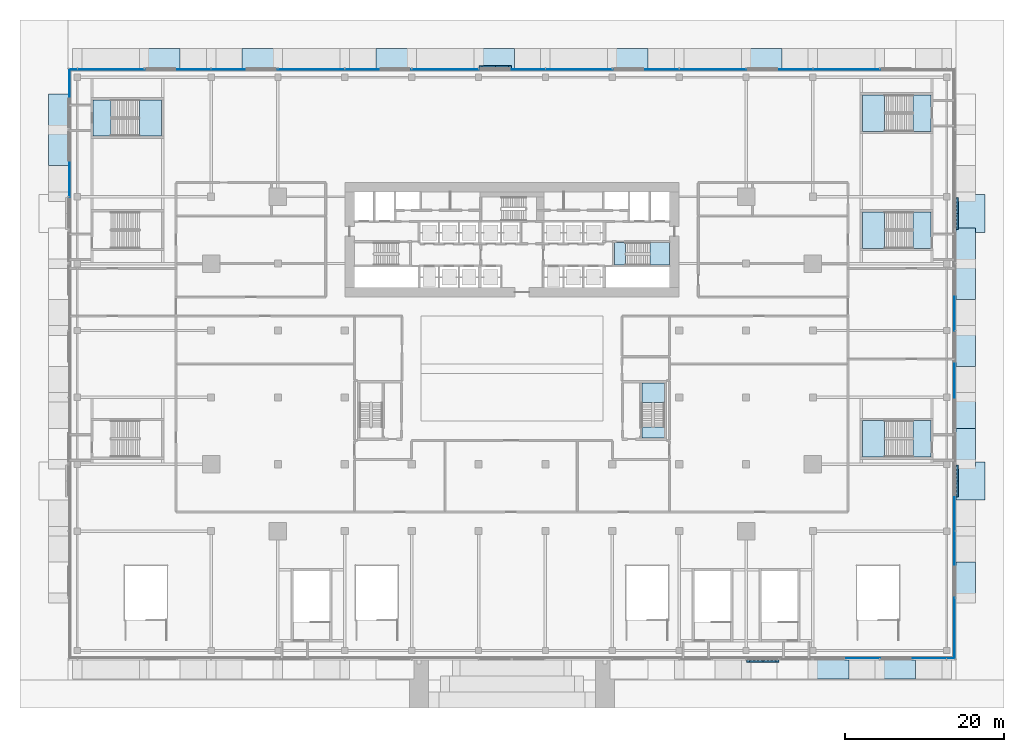
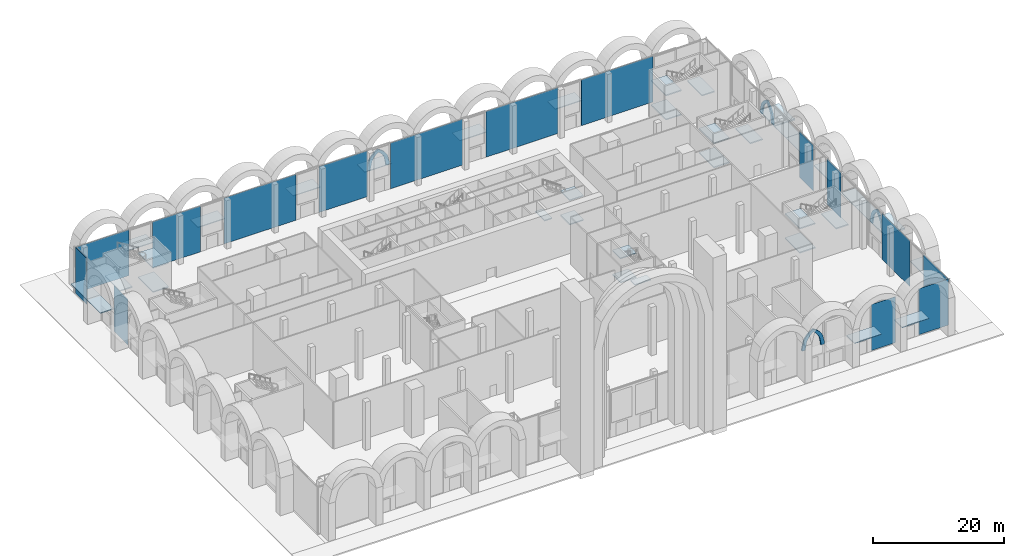
# One storey, part 18 of 43: 37 plates, 18 slabs, 10 elements without a shape of their own.
"""IFC4 building model written with IfcOpenShell, lengths in metres."""

import ifcopenshell
import ifcopenshell.guid

model = None  # the IFC model being written
_history = None  # IfcOwnerHistory: only IFC2X3 demands one
_inside = {}  # id of a spatial element -> (the spatial element, [elements in it])
_under = {}  # id of a project, library or spatial element -> (it, [spatial elements below it])
_declared = {}  # id of a project -> (the project, [libraries it declares])
_typed = {}  # id of a type object -> (the type object, [elements of that type])
_made_of = {}  # id of a material, layer set ... -> (it, [elements and type objects made of it])


def new_model(schema):
    """Start an empty IFC model of exactly this schema.

    Asked for "IFC4X3", IfcOpenShell would pick the latest addendum, in which some entities
    have other attributes; the version numbers below select the first issue.
    IFC2X3 requires an IfcOwnerHistory on every rooted entity: one is made here for all.
    """
    global model, _history
    if schema == "IFC4X3":
        model = ifcopenshell.file(schema_version=(4, 3, 0, 0))
    else:
        model = ifcopenshell.file(schema=schema)
    _inside.clear()
    _under.clear()
    _declared.clear()
    _typed.clear()
    _made_of.clear()
    _history = None
    if model.schema == "IFC2X3":
        org = make("IfcOrganization", Name="unknown")
        user = make(
            "IfcPersonAndOrganization",
            ThePerson=make("IfcPerson", FamilyName="unknown"),
            TheOrganization=org,
        )
        app = make(
            "IfcApplication",
            ApplicationDeveloper=org,
            Version="unknown",
            ApplicationFullName="unknown",
            ApplicationIdentifier="unknown",
        )
        _history = make(
            "IfcOwnerHistory",
            OwningUser=user,
            OwningApplication=app,
            ChangeAction="ADDED",
            CreationDate=0,
        )
    return model


def make(cls, **values):
    """One entity of the class cls with the attributes given. An attribute that is None is left unset."""
    return model.create_entity(
        cls, **{name: value for name, value in values.items() if value is not None}
    )


def rooted(cls, **values):
    """An entity with a GlobalId (a new one), such as an element, a storey or a relation."""
    return make(cls, GlobalId=ifcopenshell.guid.new(), OwnerHistory=_history, **values)


def si_unit(unit_type, name, prefix=None):
    """IfcSIUnit, for example si_unit("LENGTHUNIT", "METRE", prefix="MILLI")."""
    return make("IfcSIUnit", UnitType=unit_type, Prefix=prefix, Name=name)


def assignment(units):
    """IfcUnitAssignment: the units of a project."""
    return None if units is None else make("IfcUnitAssignment", Units=units)


def point(xyz):
    """IfcCartesianPoint."""
    return None if xyz is None else make("IfcCartesianPoint", Coordinates=xyz)


def direction(xyz):
    """IfcDirection."""
    return None if xyz is None else make("IfcDirection", DirectionRatios=xyz)


def frame(location, z_axis=None, x_axis=None):
    """IfcAxis2Placement3D, a coordinate frame: its origin and axes. An axis left out is left unset."""
    return make(
        "IfcAxis2Placement3D",
        Location=point(location),
        Axis=direction(z_axis),
        RefDirection=direction(x_axis),
    )


def frame_2d(location, x_axis=None):
    """IfcAxis2Placement2D, a coordinate frame in the plane: its origin and x axis."""
    return make(
        "IfcAxis2Placement2D", Location=point(location), RefDirection=direction(x_axis)
    )


def origin():
    """The frame at (0, 0, 0) with its axes left unset."""
    return frame((0.0, 0.0, 0.0))


def place(relative_to, where):
    """IfcLocalPlacement: puts the frame where relative to a parent placement (None: the world)."""
    return make(
        "IfcLocalPlacement", PlacementRelTo=relative_to, RelativePlacement=where
    )


def context(
    kind, dimensions, precision=None, world=None, true_north=None, identifier=None
):
    """IfcGeometricRepresentationContext, for example the 3D "Model" context."""
    return make(
        "IfcGeometricRepresentationContext",
        ContextIdentifier=identifier,
        ContextType=kind,
        CoordinateSpaceDimension=dimensions,
        Precision=precision,
        WorldCoordinateSystem=world,
        TrueNorth=true_north,
    )


def subcontext(parent, identifier, kind, view, scale=None):
    """IfcGeometricRepresentationSubContext, for example "Body" below "Model"."""
    return make(
        "IfcGeometricRepresentationSubContext",
        ContextIdentifier=identifier,
        ContextType=kind,
        ParentContext=parent,
        TargetScale=scale,
        TargetView=view,
    )


def project(units=None, contexts=None):
    """IfcProject with its units and contexts."""
    return rooted(
        "IfcProject",
        Name="project",
        RepresentationContexts=contexts,
        UnitsInContext=assignment(units),
    )


def spatial(cls, under=None, at=None, **own):
    """A site, building, storey or space (cls), placed at a placement, below another one or the project."""
    s = rooted(cls, ObjectPlacement=at, **own)
    if under is not None:
        _under.setdefault(under.id(), (under, []))[1].append(s)
    return s


def polyline(points):
    """IfcPolyline through the points."""
    return make("IfcPolyline", Points=[point(p) for p in points])


def profile(cls, at=None, kind="AREA", **sizes):
    """A parametric profile (cls). Its sizes go by their IFC names, for example OverallWidth=200.0."""
    return make(cls, ProfileType=kind, Position=at, **sizes)


def rectangle(**sizes):
    """IfcRectangleProfileDef."""
    return profile("IfcRectangleProfileDef", **sizes)


def outline(outer, holes=None, kind="AREA"):
    """IfcArbitraryClosedProfileDef: a profile drawn as a closed curve; with holes, ...WithVoids."""
    if holes is None:
        return make("IfcArbitraryClosedProfileDef", ProfileType=kind, OuterCurve=outer)
    return make(
        "IfcArbitraryProfileDefWithVoids",
        ProfileType=kind,
        OuterCurve=outer,
        InnerCurves=holes,
    )


def extrude(swept, where, along, depth):
    """IfcExtrudedAreaSolid: the profile swept, set in the frame where, extruded along a direction by depth."""
    return make(
        "IfcExtrudedAreaSolid",
        SweptArea=swept,
        Position=where,
        ExtrudedDirection=direction(along),
        Depth=depth,
    )


def shape(context_of_items, identifier, shape_type, items):
    """IfcShapeRepresentation: the items that make up one representation, for example the "Body"."""
    return make(
        "IfcShapeRepresentation",
        ContextOfItems=context_of_items,
        RepresentationIdentifier=identifier,
        RepresentationType=shape_type,
        Items=items,
    )


def material(Name=None, Category=None):
    """IfcMaterial."""
    return make("IfcMaterial", Name=Name, Category=Category)


def layer(
    of_material, thickness, ventilated=None, Name=None, Category=None, Priority=None
):
    """IfcMaterialLayer: one layer of a wall or slab, of a material (None: an air gap)."""
    return make(
        "IfcMaterialLayer",
        Material=of_material,
        LayerThickness=thickness,
        IsVentilated=ventilated,
        Name=Name,
        Category=Category,
        Priority=Priority,
    )


def layer_set(layers, Name=None):
    """IfcMaterialLayerSet."""
    return make("IfcMaterialLayerSet", MaterialLayers=layers, LayerSetName=Name)


def made_of(thing, what):
    """Note that an element or type object is made of a material, layer set ...; save() writes the relation."""
    if what is not None:
        _made_of.setdefault(what.id(), (what, []))[1].append(thing)
    return thing


def type_object(cls, material=None, **own):
    """A type object (cls), such as IfcWallType, which elements share."""
    return made_of(rooted(cls, **own), material)


def element(
    cls,
    number,
    at=None,
    inside=None,
    cuts=None,
    type_object=None,
    material=None,
    context=None,
    identifier="Body",
    shape_type=None,
    held_by="IfcProductDefinitionShape",
    body=None,
    shapes=None,
    **own,
):
    """One element of the class cls, such as IfcWall. Its Tag is "e" and its number.

    at: its placement. inside: the storey or other place that contains it. cuts: it is an
    opening in that element (IfcRelVoidsElement). A single representation is given by context,
    identifier, shape_type and body (its items); several are given by shapes. held_by: the class
    of the entity that holds the representations. save() writes the other relations.
    """
    e = rooted(cls, Tag="e%d" % number, ObjectPlacement=at, **own)
    if body is not None:
        shapes = [shape(context, identifier, shape_type, body)]
    if shapes is not None:
        e.Representation = make(held_by, Representations=shapes)
    if inside is not None:
        _inside.setdefault(inside.id(), (inside, []))[1].append(e)
    if cuts is not None:
        rooted(
            "IfcRelVoidsElement", RelatingBuildingElement=cuts, RelatedOpeningElement=e
        )
    if type_object is not None:
        _typed.setdefault(type_object.id(), (type_object, []))[1].append(e)
    return made_of(e, material)


def aggregate(whole, parts):
    """IfcRelAggregates: a whole, such as a stair, and the parts it consists of."""
    return rooted("IfcRelAggregates", RelatingObject=whole, RelatedObjects=parts)


def save(model, path):
    """Write the relations noted so far, then the file.

    IfcRelAggregates (storeys below a building ...), IfcRelContainedInSpatialStructure (elements
    in a storey), IfcRelDefinesByType, IfcRelAssociatesMaterial and IfcRelDeclares: one each for
    every whole, place, type object, material and project.
    """
    for whole, parts in _under.values():
        aggregate(whole, parts)
    for where, things in _inside.values():
        rooted(
            "IfcRelContainedInSpatialStructure",
            RelatedElements=things,
            RelatingStructure=where,
        )
    for kind, things in _typed.values():
        rooted("IfcRelDefinesByType", RelatedObjects=things, RelatingType=kind)
    for what, things in _made_of.values():
        rooted("IfcRelAssociatesMaterial", RelatedObjects=things, RelatingMaterial=what)
    for by, libraries in _declared.values():
        rooted("IfcRelDeclares", RelatingContext=by, RelatedDefinitions=libraries)
    model.write(path)


model = new_model("IFC4")

# Units and contexts
model_context = context("Model", 3, precision=1e-05, world=origin(), true_north=direction((0.0, 1.0)))
body_context = subcontext(model_context, "Body", "Model", "MODEL_VIEW")
ifc_project = project(units=[si_unit("LENGTHUNIT", "METRE"), si_unit("AREAUNIT", "SQUARE_METRE"), si_unit("VOLUMEUNIT", "CUBIC_METRE"), si_unit("PLANEANGLEUNIT", "RADIAN"), si_unit("MASSUNIT", "GRAM", prefix="KILO")], contexts=[model_context])

# Site, building, storey
site_placement = place(None, origin())
site = spatial("IfcSite", under=ifc_project, at=site_placement, CompositionType="ELEMENT")
building_placement = place(site_placement, origin())
building = spatial("IfcBuilding", under=site, at=building_placement, Name="Saffron Gate Tower", CompositionType="ELEMENT")
storey_placement = place(building_placement, origin())
storey = spatial("IfcBuildingStorey", under=building, at=storey_placement, Name="L00", CompositionType="ELEMENT", Elevation=0.0)

# Plates
ifc_material_1 = material(Name="Aluminium, bronze anodised", Category="aluminium")
ifc_layer_1 = layer(ifc_material_1, 0.14990234375)
ifc_layer_set_1 = layer_set([ifc_layer_1], Name="CAN1 entrance canopy")
plate_type_1 = type_object("IfcPlateType", Name="CAN1 entrance canopy", PredefinedType="SHEET", material=ifc_layer_set_1)
plate_1_placement = place(storey_placement, frame((0.0, 0.0, 4.39990234375)))
element("IfcPlate", 1, at=plate_1_placement, inside=storey, type_object=plate_type_1, Name="ENTRANCE CANOPY", PredefinedType="SHEET", context=body_context, shape_type="SweptSolid", body=[
    extrude(outline(polyline([(87.89990234375, 90.0), (83.10009765625, 90.0), (83.10009765625, 92.39990234375), (87.89990234375, 92.39990234375), (87.89990234375, 90.0)])), origin(), (0.0, 0.0, 1.0), 0.150146484375),
])
plate_2_placement = place(storey_placement, frame((0.0, 0.0, 4.39990234375)))
element("IfcPlate", 2, at=plate_2_placement, inside=storey, type_object=plate_type_1, Name="ENTRANCE CANOPY", PredefinedType="SHEET", context=body_context, shape_type="SweptSolid", body=[
    extrude(outline(polyline([(58.5, 90.0), (53.699951171875, 90.0), (53.699951171875, 92.39990234375), (58.5, 92.39990234375), (58.5, 90.0)])), origin(), (0.0, 0.0, 1.0), 0.150146484375),
])
plate_3_placement = place(storey_placement, frame((0.0, 0.0, 4.39990234375)))
element("IfcPlate", 3, at=plate_3_placement, inside=storey, type_object=plate_type_1, Name="EXIT CANOPY", PredefinedType="SHEET", context=body_context, shape_type="SweptSolid", body=[
    extrude(outline(polyline([(133.5, 15.60009765625), (138.300048828125, 15.60009765625), (138.300048828125, 13.199951171875), (133.5, 13.199951171875), (133.5, 15.60009765625)])), origin(), (0.0, 0.0, 1.0), 0.150146484375),
])
plate_4_placement = place(storey_placement, frame((0.0, 0.0, 4.39990234375)))
element("IfcPlate", 4, at=plate_4_placement, inside=storey, type_object=plate_type_1, Name="EXIT CANOPY", PredefinedType="SHEET", context=body_context, shape_type="SweptSolid", body=[
    extrude(outline(polyline([(75.300048828125, 90.0), (70.5, 90.0), (70.5, 92.39990234375), (75.300048828125, 92.39990234375), (75.300048828125, 90.0)])), origin(), (0.0, 0.0, 1.0), 0.150146484375),
])
plate_5_placement = place(storey_placement, frame((0.0, 0.0, 4.39990234375)))
element("IfcPlate", 5, at=plate_5_placement, inside=storey, type_object=plate_type_1, Name="EXIT CANOPY", PredefinedType="SHEET", context=body_context, shape_type="SweptSolid", body=[
    extrude(outline(polyline([(104.699951171875, 90.0), (99.89990234375, 90.0), (99.89990234375, 92.39990234375), (104.699951171875, 92.39990234375), (104.699951171875, 90.0)])), origin(), (0.0, 0.0, 1.0), 0.150146484375),
])
plate_6_placement = place(storey_placement, frame((0.0, 0.0, 4.39990234375)))
element("IfcPlate", 6, at=plate_6_placement, inside=storey, type_object=plate_type_1, Name="EXIT CANOPY", PredefinedType="SHEET", context=body_context, shape_type="SweptSolid", body=[
    extrude(outline(polyline([(143.39990234375, 23.10009765625), (143.39990234375, 27.89990234375), (145.800048828125, 27.89990234375), (145.800048828125, 23.10009765625), (143.39990234375, 23.10009765625)])), origin(), (0.0, 0.0, 1.0), 0.150146484375),
])
plate_7_placement = place(storey_placement, frame((0.0, 0.0, 4.39990234375)))
element("IfcPlate", 7, at=plate_7_placement, inside=storey, type_object=plate_type_1, Name="EXIT CANOPY", PredefinedType="SHEET", context=body_context, shape_type="SweptSolid", body=[
    extrude(outline(polyline([(143.39990234375, 52.5), (143.39990234375, 57.300048828125), (145.800048828125, 57.300048828125), (145.800048828125, 52.5), (143.39990234375, 52.5)])), origin(), (0.0, 0.0, 1.0), 0.150146484375),
])
plate_8_placement = place(storey_placement, frame((0.0, 0.0, 4.39990234375)))
element("IfcPlate", 8, at=plate_8_placement, inside=storey, type_object=plate_type_1, Name="EXIT CANOPY", PredefinedType="SHEET", context=body_context, shape_type="SweptSolid", body=[
    extrude(outline(polyline([(31.800048828125, 82.5), (31.800048828125, 77.699951171875), (29.39990234375, 77.699951171875), (29.39990234375, 82.5), (31.800048828125, 82.5)])), origin(), (0.0, 0.0, 1.0), 0.150146484375),
])
plate_9_placement = place(storey_placement, frame((0.0, 0.0, 4.39990234375)))
element("IfcPlate", 9, at=plate_9_placement, inside=storey, type_object=plate_type_1, Name="EXIT CANOPY", PredefinedType="SHEET", context=body_context, shape_type="SweptSolid", body=[
    extrude(outline(polyline([(143.39990234375, 44.10009765625), (143.39990234375, 48.89990234375), (145.800048828125, 48.89990234375), (145.800048828125, 44.10009765625), (143.39990234375, 44.10009765625)])), origin(), (0.0, 0.0, 1.0), 0.150146484375),
])
plate_10_placement = place(storey_placement, frame((0.0, 0.0, 4.39990234375)))
element("IfcPlate", 10, at=plate_10_placement, inside=storey, type_object=plate_type_1, Name="EXIT CANOPY", PredefinedType="SHEET", context=body_context, shape_type="SweptSolid", body=[
    extrude(outline(polyline([(143.39990234375, 60.89990234375), (143.39990234375, 65.699951171875), (145.800048828125, 65.699951171875), (145.800048828125, 60.89990234375), (143.39990234375, 60.89990234375)])), origin(), (0.0, 0.0, 1.0), 0.150146484375),
])
plate_11_placement = place(storey_placement, frame((0.0, 0.0, 4.39990234375)))
element("IfcPlate", 11, at=plate_11_placement, inside=storey, type_object=plate_type_1, Name="EXIT CANOPY", PredefinedType="SHEET", context=body_context, shape_type="SweptSolid", body=[
    extrude(outline(polyline([(45.89990234375, 90.0), (41.10009765625, 90.0), (41.10009765625, 92.39990234375), (45.89990234375, 92.39990234375), (45.89990234375, 90.0)])), origin(), (0.0, 0.0, 1.0), 0.150146484375),
])
plate_12_placement = place(storey_placement, frame((0.0, 0.0, 4.39990234375)))
element("IfcPlate", 12, at=plate_12_placement, inside=storey, type_object=plate_type_1, Name="EXIT CANOPY", PredefinedType="SHEET", context=body_context, shape_type="SweptSolid", body=[
    extrude(outline(polyline([(121.5, 90.0), (116.699951171875, 90.0), (116.699951171875, 92.39990234375), (121.5, 92.39990234375), (121.5, 90.0)])), origin(), (0.0, 0.0, 1.0), 0.150146484375),
])
plate_13_placement = place(storey_placement, frame((0.0, 0.0, 4.39990234375)))
element("IfcPlate", 13, at=plate_13_placement, inside=storey, type_object=plate_type_1, Name="EXIT CANOPY", PredefinedType="SHEET", context=body_context, shape_type="SweptSolid", body=[
    extrude(outline(polyline([(125.10009765625, 15.60009765625), (129.89990234375, 15.60009765625), (129.89990234375, 13.199951171875), (125.10009765625, 13.199951171875), (125.10009765625, 15.60009765625)])), origin(), (0.0, 0.0, 1.0), 0.150146484375),
])
plate_14_placement = place(storey_placement, frame((0.0, 0.0, 4.39990234375)))
element("IfcPlate", 14, at=plate_14_placement, inside=storey, type_object=plate_type_1, Name="EXIT CANOPY", PredefinedType="SHEET", context=body_context, shape_type="SweptSolid", body=[
    extrude(outline(polyline([(31.800048828125, 86.699951171875), (31.800048828125, 81.89990234375), (29.39990234375, 81.89990234375), (29.39990234375, 86.699951171875), (31.800048828125, 86.699951171875)])), origin(), (0.0, 0.0, 1.0), 0.150146484375),
])
plate_15_placement = place(storey_placement, frame((0.0, 0.0, 4.39990234375)))
element("IfcPlate", 15, at=plate_15_placement, inside=storey, type_object=plate_type_1, Name="EXIT CANOPY", PredefinedType="SHEET", context=body_context, shape_type="SweptSolid", body=[
    extrude(outline(polyline([(143.39990234375, 65.10009765625), (143.39990234375, 69.89990234375), (145.800048828125, 69.89990234375), (145.800048828125, 65.10009765625), (143.39990234375, 65.10009765625)])), origin(), (0.0, 0.0, 1.0), 0.150146484375),
])
plate_16_placement = place(storey_placement, frame((0.0, 0.0, 4.39990234375)))
element("IfcPlate", 16, at=plate_16_placement, inside=storey, type_object=plate_type_1, Name="EXIT CANOPY", PredefinedType="SHEET", context=body_context, shape_type="SweptSolid", body=[
    extrude(outline(polyline([(143.39990234375, 39.89990234375), (143.39990234375, 44.699951171875), (145.800048828125, 44.699951171875), (145.800048828125, 39.89990234375), (143.39990234375, 39.89990234375)])), origin(), (0.0, 0.0, 1.0), 0.150146484375),
])
ifc_layer_2 = layer(ifc_material_1, 0.25)
ifc_layer_set_2 = layer_set([ifc_layer_2], Name="CAN2 station entrance canopy")
plate_type_2 = type_object("IfcPlateType", Name="CAN2 station entrance canopy", PredefinedType="SHEET", material=ifc_layer_set_2)
plate_17_placement = place(storey_placement, frame((0.0, 0.0, 4.39990234375)))
element("IfcPlate", 17, at=plate_17_placement, inside=storey, type_object=plate_type_2, Name="STATION ENTRANCE CANOPY", PredefinedType="SHEET", context=body_context, shape_type="SweptSolid", body=[
    extrude(outline(polyline([(143.39990234375, 35.699951171875), (143.39990234375, 40.5), (147.0, 40.5), (147.0, 35.699951171875), (143.39990234375, 35.699951171875)])), origin(), (0.0, 0.0, 1.0), 0.25),
])
plate_18_placement = place(storey_placement, frame((0.0, 0.0, 4.39990234375)))
element("IfcPlate", 18, at=plate_18_placement, inside=storey, type_object=plate_type_2, Name="STATION ENTRANCE CANOPY", PredefinedType="SHEET", context=body_context, shape_type="SweptSolid", body=[
    extrude(outline(polyline([(143.39990234375, 69.300048828125), (143.39990234375, 74.10009765625), (147.0, 74.10009765625), (147.0, 69.300048828125), (143.39990234375, 69.300048828125)])), origin(), (0.0, 0.0, 1.0), 0.25),
])

# Curtain wall, plates
curtain_wall_type = type_object("IfcCurtainWallType", Name="CWS5 curtain wall podium ring base", PredefinedType="NOTDEFINED", material=ifc_material_1)
curtain_wall_1_placement = place(storey_placement, origin())
curtain_wall_1 = element("IfcCurtainWall", 19, at=curtain_wall_1_placement, inside=storey, type_object=curtain_wall_type, Name="CWS5 run 1", PredefinedType="NOTDEFINED")
ifc_material_2 = material(Name="Clear low-iron laminated glass", Category="glass")
ifc_layer_3 = layer(ifc_material_2, 0.028076171875)
ifc_layer_set_3 = layer_set([ifc_layer_3], Name="CWS5 fixed glass")
plate_type_3 = type_object("IfcPlateType", Name="CWS5 fixed glass", PredefinedType="CURTAIN_PANEL", material=ifc_layer_set_3)
plate_19_placement = place(storey_placement, frame((129.56005859375, 15.81396484375, 0.0), z_axis=(0.0, 0.0, 1.0), x_axis=(1.0, 0.0, 0.0)))
plate_19 = element("IfcPlate", 20, at=plate_19_placement, type_object=plate_type_3, Name="CWS5 glass panel", PredefinedType="CURTAIN_PANEL", context=body_context, shape_type="SweptSolid", body=[
    extrude(rectangle(XDim=4.280029296875, YDim=0.028076171875, at=frame_2d((2.14013671875, 0.0))), origin(), (0.0, 0.0, 1.0), 8.580078125),
])
plate_20_placement = place(storey_placement, frame((137.9599609375, 15.81396484375, 0.0), z_axis=(0.0, 0.0, 1.0), x_axis=(1.0, 0.0, 0.0)))
plate_20 = element("IfcPlate", 21, at=plate_20_placement, type_object=plate_type_3, Name="CWS5 glass panel", PredefinedType="CURTAIN_PANEL", context=body_context, shape_type="SweptSolid", body=[
    extrude(rectangle(XDim=5.212158203125, YDim=0.028076171875, at=frame_2d((2.60595703125, 0.0))), origin(), (0.0, 0.0, 1.0), 8.580078125),
])
aggregate(curtain_wall_1, [plate_19, plate_20])

curtain_wall_2_placement = place(storey_placement, origin())
curtain_wall_2 = element("IfcCurtainWall", 22, at=curtain_wall_2_placement, inside=storey, type_object=curtain_wall_type, Name="CWS5 run 2", PredefinedType="NOTDEFINED")
plate_21_placement = place(storey_placement, frame((143.18603515625, 15.827880859375, 0.0), z_axis=(0.0, 0.0, 1.0), x_axis=(0.0, 1.0, 0.0)))
plate_21 = element("IfcPlate", 23, at=plate_21_placement, type_object=plate_type_3, Name="CWS5 glass panel", PredefinedType="CURTAIN_PANEL", context=body_context, shape_type="SweptSolid", body=[
    extrude(rectangle(XDim=7.612060546875, YDim=0.028076171875, at=frame_2d((3.80615234375, 0.0))), origin(), (0.0, 0.0, 1.0), 8.580078125),
])
plate_22_placement = place(storey_placement, frame((143.18603515625, 27.56005859375, 0.0), z_axis=(0.0, 0.0, 1.0), x_axis=(0.0, 1.0, 0.0)))
plate_22 = element("IfcPlate", 24, at=plate_22_placement, type_object=plate_type_3, Name="CWS5 glass panel", PredefinedType="CURTAIN_PANEL", context=body_context, shape_type="SweptSolid", body=[
    extrude(rectangle(XDim=8.47998046875, YDim=0.028076171875, at=frame_2d((4.239990234375, 0.0))), origin(), (0.0, 0.0, 1.0), 8.580078125),
])
plate_23_placement = place(storey_placement, frame((143.18603515625, 48.56005859375, 0.0), z_axis=(0.0, 0.0, 1.0), x_axis=(0.0, 1.0, 0.0)))
plate_23 = element("IfcPlate", 25, at=plate_23_placement, type_object=plate_type_3, Name="CWS5 glass panel", PredefinedType="CURTAIN_PANEL", context=body_context, shape_type="SweptSolid", body=[
    extrude(rectangle(XDim=4.280029296875, YDim=0.028076171875, at=frame_2d((2.14013671875, 0.0))), origin(), (0.0, 0.0, 1.0), 8.580078125),
])
plate_24_placement = place(storey_placement, frame((143.18603515625, 56.9599609375, 0.0), z_axis=(0.0, 0.0, 1.0), x_axis=(0.0, 1.0, 0.0)))
plate_24 = element("IfcPlate", 26, at=plate_24_placement, type_object=plate_type_3, Name="CWS5 glass panel", PredefinedType="CURTAIN_PANEL", context=body_context, shape_type="SweptSolid", body=[
    extrude(rectangle(XDim=4.280029296875, YDim=0.028076171875, at=frame_2d((2.14013671875, 0.0))), origin(), (0.0, 0.0, 1.0), 8.580078125),
])
aggregate(curtain_wall_2, [plate_21, plate_22, plate_23, plate_24])

curtain_wall_3_placement = place(storey_placement, origin())
curtain_wall_3 = element("IfcCurtainWall", 27, at=curtain_wall_3_placement, inside=storey, type_object=curtain_wall_type, Name="CWS5 run 3", PredefinedType="NOTDEFINED")
plate_25_placement = place(storey_placement, frame((133.840087890625, 89.785888671875, 0.0), z_axis=(0.0, 0.0, 1.0), x_axis=(-1.0, 0.0, 0.0)))
plate_25 = element("IfcPlate", 28, at=plate_25_placement, type_object=plate_type_3, Name="CWS5 glass panel", PredefinedType="CURTAIN_PANEL", context=body_context, shape_type="SweptSolid", body=[
    extrude(rectangle(XDim=12.68017578125, YDim=0.028076171875, at=frame_2d((6.340087890625, 0.0))), origin(), (0.0, 0.0, 1.0), 8.580078125),
])
plate_26_placement = place(storey_placement, frame((117.0400390625, 89.785888671875, 0.0), z_axis=(0.0, 0.0, 1.0), x_axis=(-1.0, 0.0, 0.0)))
plate_26 = element("IfcPlate", 29, at=plate_26_placement, type_object=plate_type_3, Name="CWS5 glass panel", PredefinedType="CURTAIN_PANEL", context=body_context, shape_type="SweptSolid", body=[
    extrude(rectangle(XDim=12.679931640625, YDim=0.028076171875, at=frame_2d((6.33984375, 0.0))), origin(), (0.0, 0.0, 1.0), 8.580078125),
])
plate_27_placement = place(storey_placement, frame((100.239990234375, 89.785888671875, 0.0), z_axis=(0.0, 0.0, 1.0), x_axis=(-1.0, 0.0, 0.0)))
plate_27 = element("IfcPlate", 30, at=plate_27_placement, type_object=plate_type_3, Name="CWS5 glass panel", PredefinedType="CURTAIN_PANEL", context=body_context, shape_type="SweptSolid", body=[
    extrude(rectangle(XDim=12.679931640625, YDim=0.028076171875, at=frame_2d((6.33984375, 0.0))), origin(), (0.0, 0.0, 1.0), 8.580078125),
])
plate_28_placement = place(storey_placement, frame((83.43994140625, 89.785888671875, 0.0), z_axis=(0.0, 0.0, 1.0), x_axis=(-1.0, 0.0, 0.0)))
plate_28 = element("IfcPlate", 31, at=plate_28_placement, type_object=plate_type_3, Name="CWS5 glass panel", PredefinedType="CURTAIN_PANEL", context=body_context, shape_type="SweptSolid", body=[
    extrude(rectangle(XDim=8.47998046875, YDim=0.028076171875, at=frame_2d((4.239990234375, 0.0))), origin(), (0.0, 0.0, 1.0), 8.580078125),
])
plate_29_placement = place(storey_placement, frame((70.840087890625, 89.785888671875, 0.0), z_axis=(0.0, 0.0, 1.0), x_axis=(-1.0, 0.0, 0.0)))
plate_29 = element("IfcPlate", 32, at=plate_29_placement, type_object=plate_type_3, Name="CWS5 glass panel", PredefinedType="CURTAIN_PANEL", context=body_context, shape_type="SweptSolid", body=[
    extrude(rectangle(XDim=12.68017578125, YDim=0.028076171875, at=frame_2d((6.340087890625, 0.0))), origin(), (0.0, 0.0, 1.0), 8.580078125),
])
plate_30_placement = place(storey_placement, frame((54.0400390625, 89.785888671875, 0.0), z_axis=(0.0, 0.0, 1.0), x_axis=(-1.0, 0.0, 0.0)))
plate_30 = element("IfcPlate", 33, at=plate_30_placement, type_object=plate_type_3, Name="CWS5 glass panel", PredefinedType="CURTAIN_PANEL", context=body_context, shape_type="SweptSolid", body=[
    extrude(rectangle(XDim=8.47998046875, YDim=0.028076171875, at=frame_2d((4.239990234375, 0.0))), origin(), (0.0, 0.0, 1.0), 8.580078125),
])
plate_31_placement = place(storey_placement, frame((41.43994140625, 89.785888671875, 0.0), z_axis=(0.0, 0.0, 1.0), x_axis=(-1.0, 0.0, 0.0)))
plate_31 = element("IfcPlate", 34, at=plate_31_placement, type_object=plate_type_3, Name="CWS5 glass panel", PredefinedType="CURTAIN_PANEL", context=body_context, shape_type="SweptSolid", body=[
    extrude(rectangle(XDim=9.411865234375, YDim=0.028076171875, at=frame_2d((4.7060546875, 0.0))), origin(), (0.0, 0.0, 1.0), 8.580078125),
])
aggregate(curtain_wall_3, [plate_25, plate_26, plate_27, plate_28, plate_29, plate_30, plate_31])

curtain_wall_4_placement = place(storey_placement, origin())
curtain_wall_4 = element("IfcCurtainWall", 35, at=curtain_wall_4_placement, inside=storey, type_object=curtain_wall_type, Name="CWS5 run 4", PredefinedType="NOTDEFINED")
plate_32_placement = place(storey_placement, frame((32.013916015625, 89.77197265625, 0.0), z_axis=(0.0, 0.0, 1.0), x_axis=(0.0, -1.0, 0.0)))
plate_32 = element("IfcPlate", 36, at=plate_32_placement, type_object=plate_type_3, Name="CWS5 glass panel", PredefinedType="CURTAIN_PANEL", context=body_context, shape_type="SweptSolid", body=[
    extrude(rectangle(XDim=3.411865234375, YDim=0.028076171875, at=frame_2d((1.7060546875, 0.0))), origin(), (0.0, 0.0, 1.0), 8.580078125),
])
plate_33_placement = place(storey_placement, frame((32.013916015625, 78.0400390625, 0.0), z_axis=(0.0, 0.0, 1.0), x_axis=(0.0, -1.0, 0.0)))
plate_33 = element("IfcPlate", 37, at=plate_33_placement, type_object=plate_type_3, Name="CWS5 glass panel", PredefinedType="CURTAIN_PANEL", context=body_context, shape_type="SweptSolid", body=[
    extrude(rectangle(XDim=4.280029296875, YDim=0.028076171875, at=frame_2d((2.14013671875, 0.0))), origin(), (0.0, 0.0, 1.0), 8.580078125),
])
aggregate(curtain_wall_4, [plate_32, plate_33])

# Plates
ifc_material_3 = material(Name="Glazed ceramic tile, saffron")
ifc_layer_4 = layer(ifc_material_3, 0.25)
ifc_layer_set_4 = layer_set([ifc_layer_4], Name="GT5 pointed arch frame")
plate_type_4 = type_object("IfcPlateType", Name="GT5 pointed arch frame", PredefinedType="SHEET", material=ifc_layer_set_4)
plate_34_placement = place(storey_placement, frame((117.75, 15.35009765625, 4.5), z_axis=(0.0, -1.0, 0.0), x_axis=(0.0, 0.0, 1.0)))
element("IfcPlate", 38, at=plate_34_placement, inside=storey, type_object=plate_type_4, Name="ENTRANCE pointed arch frame", PredefinedType="SHEET", context=body_context, shape_type="SweptSolid", body=[
    extrude(outline(polyline([(0.0, 0.0), (0.300048828125, 0.0), (1.474609375, -0.22509765625), (1.930419921875, -0.449951171875), (2.258544921875, -0.675048828125), (2.51611328125, -0.89990234375), (2.726318359375, -1.125), (2.89990234375, -1.35009765625), (2.726318359375, -1.574951171875), (2.51611328125, -1.800048828125), (2.258544921875, -2.02490234375), (1.930419921875, -2.25), (1.474609375, -2.47509765625), (0.300048828125, -2.699951171875), (0.0, -2.699951171875), (0.0, -3.35009765625), (0.300048828125, -3.35009765625), (1.77587890625, -3.0166015625), (2.333251953125, -2.683349609375), (2.72216796875, -2.35009765625), (3.016357421875, -2.0166015625), (3.244140625, -1.683349609375), (3.419921875, -1.35009765625), (3.244140625, -1.0166015625), (3.016357421875, -0.683349609375), (2.72216796875, -0.35009765625), (2.333251953125, -0.0166015625), (1.77587890625, 0.316650390625), (0.300048828125, 0.64990234375), (0.0, 0.64990234375), (0.0, 0.0)])), origin(), (0.0, 0.0, -1.0), 0.25),
])
plate_35_placement = place(storey_placement, frame((86.85009765625, 90.25, 4.5), z_axis=(0.0, 1.0, 0.0), x_axis=(0.0, 0.0, 1.0)))
element("IfcPlate", 39, at=plate_35_placement, inside=storey, type_object=plate_type_4, Name="ENTRANCE pointed arch frame", PredefinedType="SHEET", context=body_context, shape_type="SweptSolid", body=[
    extrude(outline(polyline([(0.0, 0.0), (0.300048828125, 0.0), (1.474609375, -0.22509765625), (1.930419921875, -0.4501953125), (2.258544921875, -0.675048828125), (2.51611328125, -0.900146484375), (2.726318359375, -1.125), (2.89990234375, -1.35009765625), (2.726318359375, -1.5751953125), (2.51611328125, -1.800048828125), (2.258544921875, -2.025146484375), (1.930419921875, -2.25), (1.474609375, -2.47509765625), (0.300048828125, -2.7001953125), (0.0, -2.7001953125), (0.0, -3.35009765625), (0.300048828125, -3.35009765625), (1.77587890625, -3.016845703125), (2.333251953125, -2.683349609375), (2.72216796875, -2.35009765625), (3.016357421875, -2.016845703125), (3.244140625, -1.683349609375), (3.419921875, -1.35009765625), (3.244140625, -1.016845703125), (3.016357421875, -0.683349609375), (2.72216796875, -0.35009765625), (2.333251953125, -0.016845703125), (1.77587890625, 0.316650390625), (0.300048828125, 0.64990234375), (0.0, 0.64990234375), (0.0, 0.0)])), origin(), (0.0, 0.0, -1.0), 0.25),
])
plate_36_placement = place(storey_placement, frame((143.64990234375, 36.75, 4.5), z_axis=(1.0, 0.0, 0.0), x_axis=(0.0, 0.0, 1.0)))
element("IfcPlate", 40, at=plate_36_placement, inside=storey, type_object=plate_type_4, Name="ENTRANCE pointed arch frame", PredefinedType="SHEET", context=body_context, shape_type="SweptSolid", body=[
    extrude(outline(polyline([(0.0, 0.0), (0.300048828125, 0.0), (1.474609375, -0.22509765625), (1.930419921875, -0.449951171875), (2.258544921875, -0.675048828125), (2.51611328125, -0.89990234375), (2.726318359375, -1.125), (2.89990234375, -1.35009765625), (2.726318359375, -1.574951171875), (2.51611328125, -1.800048828125), (2.258544921875, -2.02490234375), (1.930419921875, -2.25), (1.474609375, -2.47509765625), (0.300048828125, -2.699951171875), (0.0, -2.699951171875), (0.0, -3.35009765625), (0.300048828125, -3.35009765625), (1.77587890625, -3.0166015625), (2.333251953125, -2.683349609375), (2.72216796875, -2.35009765625), (3.016357421875, -2.0166015625), (3.244140625, -1.683349609375), (3.419921875, -1.35009765625), (3.244140625, -1.0166015625), (3.016357421875, -0.683349609375), (2.72216796875, -0.35009765625), (2.333251953125, -0.0166015625), (1.77587890625, 0.316650390625), (0.300048828125, 0.64990234375), (0.0, 0.64990234375), (0.0, 0.0)])), origin(), (0.0, 0.0, -1.0), 0.25),
])
plate_37_placement = place(storey_placement, frame((143.64990234375, 70.35009765625, 4.5), z_axis=(1.0, 0.0, 0.0), x_axis=(0.0, 0.0, 1.0)))
element("IfcPlate", 41, at=plate_37_placement, inside=storey, type_object=plate_type_4, Name="ENTRANCE pointed arch frame", PredefinedType="SHEET", context=body_context, shape_type="SweptSolid", body=[
    extrude(outline(polyline([(0.0, 0.0), (0.300048828125, 0.0), (1.474609375, -0.224853515625), (1.930419921875, -0.449951171875), (2.258544921875, -0.6748046875), (2.51611328125, -0.89990234375), (2.726318359375, -1.125), (2.89990234375, -1.349853515625), (2.726318359375, -1.574951171875), (2.51611328125, -1.7998046875), (2.258544921875, -2.02490234375), (1.930419921875, -2.25), (1.474609375, -2.474853515625), (0.300048828125, -2.699951171875), (0.0, -2.699951171875), (0.0, -3.349853515625), (0.300048828125, -3.349853515625), (1.77587890625, -3.0166015625), (2.333251953125, -2.683349609375), (2.72216796875, -2.349853515625), (3.016357421875, -2.0166015625), (3.244140625, -1.683349609375), (3.419921875, -1.349853515625), (3.244140625, -1.0166015625), (3.016357421875, -0.683349609375), (2.72216796875, -0.349853515625), (2.333251953125, -0.0166015625), (1.77587890625, 0.316650390625), (0.300048828125, 0.650146484375), (0.0, 0.650146484375), (0.0, 0.0)])), origin(), (0.0, 0.0, -1.0), 0.25),
])

# Stair, slabs
ifc_material_4 = material(Name="Concrete C40", Category="concrete")
stair_type_1 = type_object("IfcStairType", Name="ST3 Stair 1350 wide, 48 risers of 188", PredefinedType="HALF_TURN_STAIR", material=ifc_material_4)
stair_1_placement = place(storey_placement, origin())
stair_1 = element("IfcStair", 42, at=stair_1_placement, inside=storey, type_object=stair_type_1, Name="L00 Exit stair B", PredefinedType="HALF_TURN_STAIR")
ifc_layer_5 = layer(ifc_material_4, 0.199951171875)
ifc_layer_set_5 = layer_set([ifc_layer_5], Name="SL1 Stair landing 200")
slab_type = type_object("IfcSlabType", Name="SL1 Stair landing 200", PredefinedType="LANDING", material=ifc_layer_set_5)
slab_1_placement = place(storey_placement, frame((0.0, 0.0, 2.050048828125)))
slab_1 = element("IfcSlab", 43, at=slab_1_placement, type_object=slab_type, Name="ST-B landing 1", PredefinedType="LANDING", context=body_context, shape_type="SweptSolid", body=[
    extrude(outline(polyline([(104.929931640625, 65.199951171875), (107.39990234375, 65.199951171875), (107.39990234375, 68.050048828125), (104.929931640625, 68.050048828125), (104.929931640625, 65.199951171875)])), origin(), (0.0, 0.0, 1.0), 0.199951171875),
])
slab_2_placement = place(storey_placement, frame((0.0, 0.0, 4.300048828125)))
slab_2 = element("IfcSlab", 44, at=slab_2_placement, type_object=slab_type, Name="ST-B landing 2", PredefinedType="LANDING", context=body_context, shape_type="SweptSolid", body=[
    extrude(outline(polyline([(100.5, 65.199951171875), (101.85009765625, 65.199951171875), (101.85009765625, 68.050048828125), (100.5, 68.050048828125), (100.5, 65.199951171875)])), origin(), (0.0, 0.0, 1.0), 0.199951171875),
])
slab_3_placement = place(storey_placement, frame((0.0, 0.0, 6.550048828125)))
slab_3 = element("IfcSlab", 45, at=slab_3_placement, type_object=slab_type, Name="ST-B landing 3", PredefinedType="LANDING", context=body_context, shape_type="SweptSolid", body=[
    extrude(outline(polyline([(104.929931640625, 65.199951171875), (107.39990234375, 65.199951171875), (107.39990234375, 68.050048828125), (104.929931640625, 68.050048828125), (104.929931640625, 65.199951171875)])), origin(), (0.0, 0.0, 1.0), 0.199951171875),
])
aggregate(stair_1, [slab_1, slab_2, slab_3])

stair_2_placement = place(storey_placement, origin())
stair_2 = element("IfcStair", 46, at=stair_2_placement, inside=storey, type_object=stair_type_1, Name="L00 Exit stair E", PredefinedType="HALF_TURN_STAIR")
slab_4_placement = place(storey_placement, frame((0.0, 0.0, 2.050048828125)))
slab_4 = element("IfcSlab", 47, at=slab_4_placement, type_object=slab_type, Name="ST-E landing 1", PredefinedType="LANDING", context=body_context, shape_type="SweptSolid", body=[
    extrude(outline(polyline([(106.75, 47.929931640625), (106.75, 50.39990234375), (103.89990234375, 50.39990234375), (103.89990234375, 47.929931640625), (106.75, 47.929931640625)])), origin(), (0.0, 0.0, 1.0), 0.199951171875),
])
slab_5_placement = place(storey_placement, frame((0.0, 0.0, 4.300048828125)))
slab_5 = element("IfcSlab", 48, at=slab_5_placement, type_object=slab_type, Name="ST-E landing 2", PredefinedType="LANDING", context=body_context, shape_type="SweptSolid", body=[
    extrude(outline(polyline([(106.75, 43.5), (106.75, 44.85009765625), (103.89990234375, 44.85009765625), (103.89990234375, 43.5), (106.75, 43.5)])), origin(), (0.0, 0.0, 1.0), 0.199951171875),
])
slab_6_placement = place(storey_placement, frame((0.0, 0.0, 6.550048828125)))
slab_6 = element("IfcSlab", 49, at=slab_6_placement, type_object=slab_type, Name="ST-E landing 3", PredefinedType="LANDING", context=body_context, shape_type="SweptSolid", body=[
    extrude(outline(polyline([(106.75, 47.929931640625), (106.75, 50.39990234375), (103.89990234375, 50.39990234375), (103.89990234375, 47.929931640625), (106.75, 47.929931640625)])), origin(), (0.0, 0.0, 1.0), 0.199951171875),
])
aggregate(stair_2, [slab_4, slab_5, slab_6])

stair_type_2 = type_object("IfcStairType", Name="ST9 Stair 2200 wide, 56 risers of 161", PredefinedType="HALF_TURN_STAIR", material=ifc_material_4)
stair_3_placement = place(storey_placement, origin())
stair_3 = element("IfcStair", 50, at=stair_3_placement, inside=storey, type_object=stair_type_2, Name="L00 Exit stair F", PredefinedType="HALF_TURN_STAIR")
slab_7_placement = place(storey_placement, frame((0.0, 0.0, 2.050048828125)))
slab_7 = element("IfcSlab", 51, at=slab_7_placement, type_object=slab_type, Name="ST-F landing 1", PredefinedType="LANDING", context=body_context, shape_type="SweptSolid", body=[
    extrude(outline(polyline([(40.840087890625, 81.425048828125), (43.60009765625, 81.425048828125), (43.60009765625, 85.97509765625), (40.840087890625, 85.97509765625), (40.840087890625, 81.425048828125)])), origin(), (0.0, 0.0, 1.0), 0.199951171875),
])
slab_8_placement = place(storey_placement, frame((0.0, 0.0, 4.300048828125)))
slab_8 = element("IfcSlab", 52, at=slab_8_placement, type_object=slab_type, Name="ST-F landing 2", PredefinedType="LANDING", context=body_context, shape_type="SweptSolid", body=[
    extrude(outline(polyline([(35.0, 81.425048828125), (37.199951171875, 81.425048828125), (37.199951171875, 85.97509765625), (35.0, 85.97509765625), (35.0, 81.425048828125)])), origin(), (0.0, 0.0, 1.0), 0.199951171875),
])
slab_9_placement = place(storey_placement, frame((0.0, 0.0, 6.550048828125)))
slab_9 = element("IfcSlab", 53, at=slab_9_placement, type_object=slab_type, Name="ST-F landing 3", PredefinedType="LANDING", context=body_context, shape_type="SweptSolid", body=[
    extrude(outline(polyline([(40.840087890625, 81.425048828125), (43.60009765625, 81.425048828125), (43.60009765625, 85.97509765625), (40.840087890625, 85.97509765625), (40.840087890625, 81.425048828125)])), origin(), (0.0, 0.0, 1.0), 0.199951171875),
])
aggregate(stair_3, [slab_7, slab_8, slab_9])

stair_4_placement = place(storey_placement, origin())
stair_4 = element("IfcStair", 54, at=stair_4_placement, inside=storey, type_object=stair_type_2, Name="L00 Exit stair I", PredefinedType="HALF_TURN_STAIR")
slab_10_placement = place(storey_placement, frame((0.0, 0.0, 2.050048828125)))
slab_10 = element("IfcSlab", 55, at=slab_10_placement, type_object=slab_type, Name="ST-I landing 1", PredefinedType="LANDING", context=body_context, shape_type="SweptSolid", body=[
    extrude(outline(polyline([(134.360107421875, 86.574951171875), (131.60009765625, 86.574951171875), (131.60009765625, 82.02490234375), (134.360107421875, 82.02490234375), (134.360107421875, 86.574951171875)])), origin(), (0.0, 0.0, 1.0), 0.199951171875),
])
slab_11_placement = place(storey_placement, frame((0.0, 0.0, 4.300048828125)))
slab_11 = element("IfcSlab", 56, at=slab_11_placement, type_object=slab_type, Name="ST-I landing 2", PredefinedType="LANDING", context=body_context, shape_type="SweptSolid", body=[
    extrude(outline(polyline([(140.199951171875, 86.574951171875), (138.0, 86.574951171875), (138.0, 82.02490234375), (140.199951171875, 82.02490234375), (140.199951171875, 86.574951171875)])), origin(), (0.0, 0.0, 1.0), 0.199951171875),
])
slab_12_placement = place(storey_placement, frame((0.0, 0.0, 6.550048828125)))
slab_12 = element("IfcSlab", 57, at=slab_12_placement, type_object=slab_type, Name="ST-I landing 3", PredefinedType="LANDING", context=body_context, shape_type="SweptSolid", body=[
    extrude(outline(polyline([(134.360107421875, 86.574951171875), (131.60009765625, 86.574951171875), (131.60009765625, 82.02490234375), (134.360107421875, 82.02490234375), (134.360107421875, 86.574951171875)])), origin(), (0.0, 0.0, 1.0), 0.199951171875),
])
aggregate(stair_4, [slab_10, slab_11, slab_12])

stair_5_placement = place(storey_placement, origin())
stair_5 = element("IfcStair", 58, at=stair_5_placement, inside=storey, type_object=stair_type_2, Name="L00 Exit stair J", PredefinedType="HALF_TURN_STAIR")
slab_13_placement = place(storey_placement, frame((0.0, 0.0, 2.050048828125)))
slab_13 = element("IfcSlab", 59, at=slab_13_placement, type_object=slab_type, Name="ST-J landing 1", PredefinedType="LANDING", context=body_context, shape_type="SweptSolid", body=[
    extrude(outline(polyline([(134.360107421875, 71.875), (131.60009765625, 71.875), (131.60009765625, 67.324951171875), (134.360107421875, 67.324951171875), (134.360107421875, 71.875)])), origin(), (0.0, 0.0, 1.0), 0.199951171875),
])
slab_14_placement = place(storey_placement, frame((0.0, 0.0, 4.300048828125)))
slab_14 = element("IfcSlab", 60, at=slab_14_placement, type_object=slab_type, Name="ST-J landing 2", PredefinedType="LANDING", context=body_context, shape_type="SweptSolid", body=[
    extrude(outline(polyline([(140.199951171875, 71.875), (138.0, 71.875), (138.0, 67.324951171875), (140.199951171875, 67.324951171875), (140.199951171875, 71.875)])), origin(), (0.0, 0.0, 1.0), 0.199951171875),
])
slab_15_placement = place(storey_placement, frame((0.0, 0.0, 6.550048828125)))
slab_15 = element("IfcSlab", 61, at=slab_15_placement, type_object=slab_type, Name="ST-J landing 3", PredefinedType="LANDING", context=body_context, shape_type="SweptSolid", body=[
    extrude(outline(polyline([(134.360107421875, 71.875), (131.60009765625, 71.875), (131.60009765625, 67.324951171875), (134.360107421875, 67.324951171875), (134.360107421875, 71.875)])), origin(), (0.0, 0.0, 1.0), 0.199951171875),
])
aggregate(stair_5, [slab_13, slab_14, slab_15])

stair_6_placement = place(storey_placement, origin())
stair_6 = element("IfcStair", 62, at=stair_6_placement, inside=storey, type_object=stair_type_2, Name="L00 Exit stair K", PredefinedType="HALF_TURN_STAIR")
slab_16_placement = place(storey_placement, frame((0.0, 0.0, 2.050048828125)))
slab_16 = element("IfcSlab", 63, at=slab_16_placement, type_object=slab_type, Name="ST-K landing 1", PredefinedType="LANDING", context=body_context, shape_type="SweptSolid", body=[
    extrude(outline(polyline([(134.360107421875, 45.675048828125), (131.60009765625, 45.675048828125), (131.60009765625, 41.125), (134.360107421875, 41.125), (134.360107421875, 45.675048828125)])), origin(), (0.0, 0.0, 1.0), 0.199951171875),
])
slab_17_placement = place(storey_placement, frame((0.0, 0.0, 4.300048828125)))
slab_17 = element("IfcSlab", 64, at=slab_17_placement, type_object=slab_type, Name="ST-K landing 2", PredefinedType="LANDING", context=body_context, shape_type="SweptSolid", body=[
    extrude(outline(polyline([(140.199951171875, 45.675048828125), (138.0, 45.675048828125), (138.0, 41.125), (140.199951171875, 41.125), (140.199951171875, 45.675048828125)])), origin(), (0.0, 0.0, 1.0), 0.199951171875),
])
slab_18_placement = place(storey_placement, frame((0.0, 0.0, 6.550048828125)))
slab_18 = element("IfcSlab", 65, at=slab_18_placement, type_object=slab_type, Name="ST-K landing 3", PredefinedType="LANDING", context=body_context, shape_type="SweptSolid", body=[
    extrude(outline(polyline([(134.360107421875, 45.675048828125), (131.60009765625, 45.675048828125), (131.60009765625, 41.125), (134.360107421875, 41.125), (134.360107421875, 45.675048828125)])), origin(), (0.0, 0.0, 1.0), 0.199951171875),
])
aggregate(stair_6, [slab_16, slab_17, slab_18])

save(model, "model.ifc")
